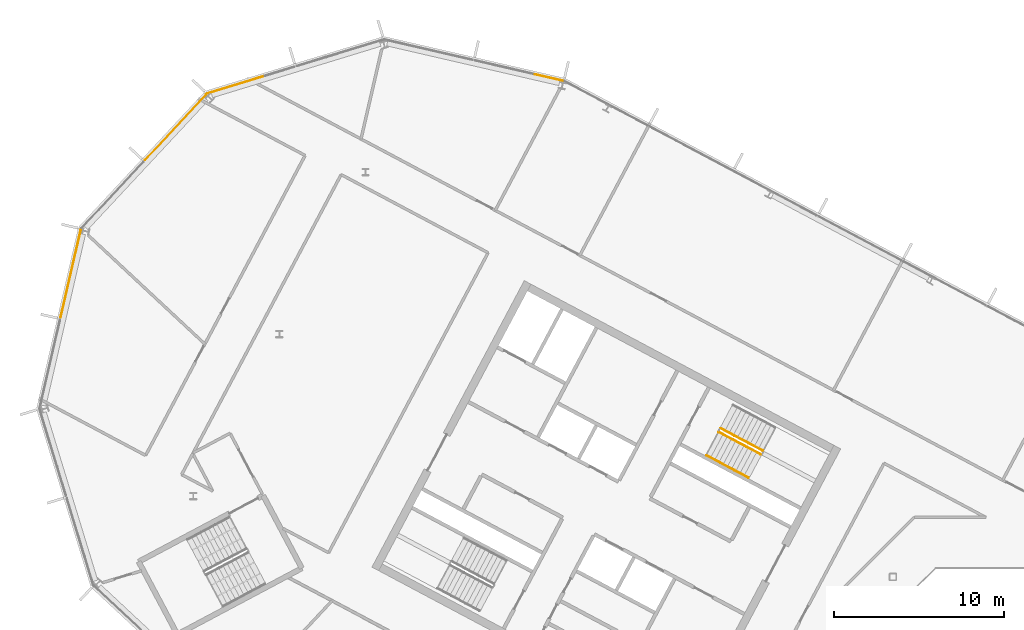
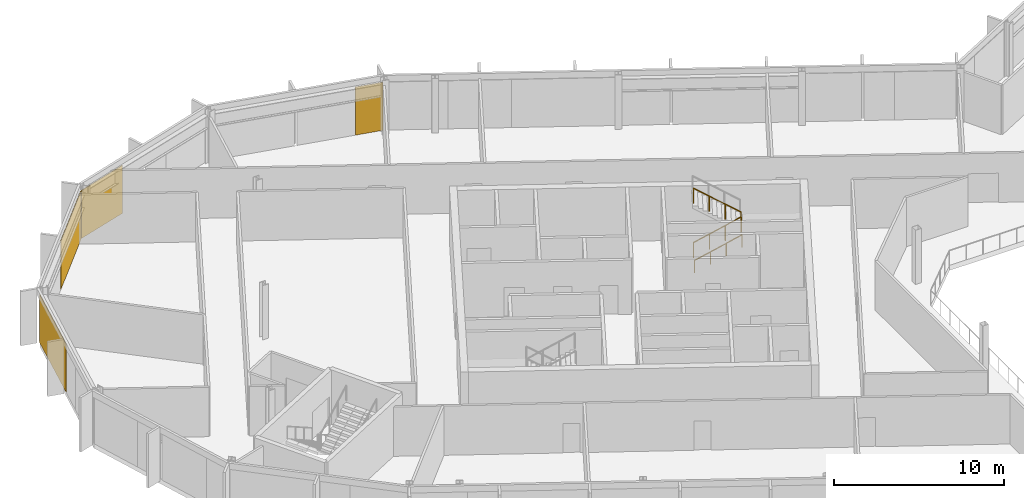
# One storey, part 21 of 25: 4 coverings, 3 railings, 4 elements without a shape of their own.
"""IFC4 building model written with IfcOpenShell, lengths in metres."""

from ifc_helpers import new_model, si_unit, direction, frame, origin, origin_2d, place, context, subcontext, project, spatial, polyline, rectangle, outline, extrude, material, layer, layer_set, type_object, element, aggregate, save


model = new_model("IFC4")

# Units and contexts
model_context = context("Model", 3, precision=1e-05, world=origin(), true_north=direction((0.0, 1.0)))
body_context = subcontext(model_context, "Body", "Model", "MODEL_VIEW")
ifc_project = project(units=[si_unit("LENGTHUNIT", "METRE"), si_unit("AREAUNIT", "SQUARE_METRE"), si_unit("VOLUMEUNIT", "CUBIC_METRE"), si_unit("PLANEANGLEUNIT", "RADIAN"), si_unit("MASSUNIT", "GRAM", prefix="KILO")], contexts=[model_context])

# Site, building, storey
site_placement = place(None, origin())
site = spatial("IfcSite", under=ifc_project, at=site_placement, CompositionType="ELEMENT")
building_placement = place(site_placement, origin())
building = spatial("IfcBuilding", under=site, at=building_placement, Name="Cormorant Relay Tower", CompositionType="ELEMENT")
storey_placement = place(building_placement, frame((0.0, 0.0, 265.800048828125)))
storey = spatial("IfcBuildingStorey", under=building, at=storey_placement, Name="L59", CompositionType="ELEMENT", Elevation=265.800048828125)

# Curtain wall, covering
ifc_material_1 = material(Name="Aluminium 6063-T6 anodised bronze", Category="aluminium")
ifc_layer_1 = layer(ifc_material_1, 0.199951171875)
ifc_layer_set_1 = layer_set([ifc_layer_1], Name="CW1 unitised bronze curtain wall with vertical fins")
curtain_wall_type = type_object("IfcCurtainWallType", Name="CW1 unitised bronze curtain wall with vertical fins", PredefinedType="NOTDEFINED", material=ifc_layer_set_1)
curtain_wall_1_placement = place(storey_placement, origin())
curtain_wall_1 = element("IfcCurtainWall", 1, at=curtain_wall_1_placement, inside=storey, type_object=curtain_wall_type, Name="CW1 curtain wall 10", PredefinedType="NOTDEFINED")
ifc_material_2 = material(Name="Pale bronze anodised aluminium insulated panel", Category="aluminium")
ifc_layer_2 = layer(ifc_material_2, 0.0400390625)
ifc_layer_set_2 = layer_set([ifc_layer_2], Name="CW1 pale bronze insulated panel 40")
covering_type = type_object("IfcCoveringType", Name="CW1 pale bronze insulated panel 40", PredefinedType="CLADDING", material=ifc_layer_set_2)
covering_1_placement = place(storey_placement, frame((-30.76318359375, 39.89404296875, 0.0), z_axis=(0.0, 0.0, 1.0), x_axis=(-0.974370064785, 0.224951054344, 0.0)))
covering_1 = element("IfcCovering", 2, at=covering_1_placement, type_object=covering_type, Name="CW1 panel S00", PredefinedType="CLADDING", context=body_context, shape_type="SweptSolid", body=[
    extrude(rectangle(XDim=1.685302734375, YDim=0.0400390625, at=origin_2d()), origin(), (0.0, 0.0, 1.0), 3.449951171875),
])
aggregate(curtain_wall_1, [covering_1])

curtain_wall_2_placement = place(storey_placement, origin())
curtain_wall_2 = element("IfcCurtainWall", 3, at=curtain_wall_2_placement, inside=storey, type_object=curtain_wall_type, Name="CW1 curtain wall 11", PredefinedType="NOTDEFINED")
covering_2_placement = place(storey_placement, frame((-49.16455078125, 39.474853515625, 0.0), z_axis=(0.0, 0.0, 1.0), x_axis=(-0.956304755963, -0.292371704723, 0.0)))
covering_2 = element("IfcCovering", 4, at=covering_2_placement, type_object=covering_type, Name="CW1 panel S03", PredefinedType="CLADDING", context=body_context, shape_type="SweptSolid", body=[
    extrude(rectangle(XDim=3.560302734375, YDim=0.0400390625, at=origin_2d()), origin(), (0.0, 0.0, 1.0), 3.449951171875),
])
aggregate(curtain_wall_2, [covering_2])

curtain_wall_3_placement = place(storey_placement, origin())
curtain_wall_3 = element("IfcCurtainWall", 5, at=curtain_wall_3_placement, inside=storey, type_object=curtain_wall_type, Name="CW1 curtain wall 12", PredefinedType="NOTDEFINED")
covering_3_placement = place(storey_placement, frame((-52.72900390625, 36.961181640625, 0.0), z_axis=(0.0, 0.0, 1.0), x_axis=(-0.681998360062, -0.731353701619, 0.0)))
covering_3 = element("IfcCovering", 6, at=covering_3_placement, type_object=covering_type, Name="CW1 panel S00", PredefinedType="CLADDING", context=body_context, shape_type="SweptSolid", body=[
    extrude(rectangle(XDim=5.28515625, YDim=0.0400390625, at=origin_2d()), origin(), (0.0, 0.0, 1.0), 3.449951171875),
])
aggregate(curtain_wall_3, [covering_3])

curtain_wall_4_placement = place(storey_placement, origin())
curtain_wall_4 = element("IfcCurtainWall", 7, at=curtain_wall_4_placement, inside=storey, type_object=curtain_wall_type, Name="CW1 curtain wall 13", PredefinedType="NOTDEFINED")
covering_4_placement = place(storey_placement, frame((-58.905517578125, 28.341796875, 0.0), z_axis=(0.0, 0.0, 1.0), x_axis=(-0.224951054344, -0.974370064785, 0.0)))
covering_4 = element("IfcCovering", 8, at=covering_4_placement, type_object=covering_type, Name="CW1 panel S00", PredefinedType="CLADDING", context=body_context, shape_type="SweptSolid", body=[
    extrude(rectangle(XDim=5.28515625, YDim=0.0400390625, at=origin_2d()), origin(), (0.0, 0.0, 1.0), 3.449951171875),
])
aggregate(curtain_wall_4, [covering_4])

# Railings
ifc_material_3 = material(Name="Steel ASTM A572 Grade 50 (Fy 345 MPa)", Category="steel")
railing_type_1 = type_object("IfcRailingType", Name="Stair guard 1100", PredefinedType="GUARDRAIL", material=ifc_material_3)
railing_1_placement = place(storey_placement, frame((-20.75048828125, 19.017822265625, 0.17724609375)))
element("IfcRailing", 9, at=railing_1_placement, inside=storey, type_object=railing_type_1, Name="L59 A1 stair guard 1", PredefinedType="GUARDRAIL", context=body_context, shape_type="SweptSolid", body=[
    extrude(outline(polyline([(0.022216796875, 0.00927734375), (0.00927734375, 0.022216796875), (-0.00927734375, 0.022216796875), (-0.022216796875, 0.00927734375), (-0.022216796875, -0.00927734375), (-0.00927734375, -0.022216796875), (0.00927734375, -0.022216796875), (0.022216796875, -0.00927734375), (0.022216796875, 0.00927734375)])), frame((0.0, 0.0, 1.076171875), z_axis=(0.746001213114, -0.396649272309, 0.534931345884), x_axis=(0.469465464807, 0.882950835185, 0.0)), (0.0, 0.0, 1.0), 3.31396484375),
    extrude(outline(polyline([(0.019287109375, 0.008056640625), (0.008056640625, 0.019287109375), (-0.008056640625, 0.019287109375), (-0.019287109375, 0.008056640625), (-0.019287109375, -0.008056640625), (-0.008056640625, -0.019287109375), (0.008056640625, -0.019287109375), (0.019287109375, -0.008056640625), (0.019287109375, 0.008056640625)])), origin(), (0.0, 0.0, 1.0), 1.052001953125),
    extrude(outline(polyline([(0.019287109375, 0.008056640625), (0.008056640625, 0.019287109375), (-0.008056640625, 0.019287109375), (-0.019287109375, 0.008056640625), (-0.019287109375, -0.008056640625), (-0.008056640625, -0.019287109375), (0.008056640625, -0.019287109375), (0.019287109375, -0.008056640625), (0.019287109375, 0.008056640625)])), frame((0.823974609375, -0.438232421875, 0.5908203125)), (0.0, 0.0, 1.0), 1.052001953125),
    extrude(outline(polyline([(0.019287109375, 0.008056640625), (0.008056640625, 0.019287109375), (-0.008056640625, 0.019287109375), (-0.019287109375, 0.008056640625), (-0.019287109375, -0.008056640625), (-0.008056640625, -0.019287109375), (0.008056640625, -0.019287109375), (0.019287109375, -0.008056640625), (0.019287109375, 0.008056640625)])), frame((1.648193359375, -0.876220703125, 1.181884765625)), (0.0, 0.0, 1.0), 1.052001953125),
    extrude(outline(polyline([(0.019287109375, 0.008056640625), (0.008056640625, 0.019287109375), (-0.008056640625, 0.019287109375), (-0.019287109375, 0.008056640625), (-0.019287109375, -0.008056640625), (-0.008056640625, -0.019287109375), (0.008056640625, -0.019287109375), (0.019287109375, -0.008056640625), (0.019287109375, 0.008056640625)])), frame((2.47216796875, -1.314453125, 1.772705078125)), (0.0, 0.0, 1.0), 1.052001953125),
])
railing_2_placement = place(storey_placement, frame((-18.160888671875, 17.924072265625, 2.127197265625)))
element("IfcRailing", 10, at=railing_2_placement, inside=storey, type_object=railing_type_1, Name="L59 A1 stair guard 3", PredefinedType="GUARDRAIL", context=body_context, shape_type="SweptSolid", body=[
    extrude(outline(polyline([(0.022216796875, 0.00927734375), (0.00927734375, 0.022216796875), (-0.00927734375, 0.022216796875), (-0.022216796875, 0.00927734375), (-0.022216796875, -0.00927734375), (-0.00927734375, -0.022216796875), (0.00927734375, -0.022216796875), (0.022216796875, -0.00927734375), (0.022216796875, 0.00927734375)])), frame((0.0, 0.0, 1.076171875), z_axis=(-0.746033882577, 0.396627473466, 0.534901947407), x_axis=(-0.469429322983, -0.882970050864, 0.0)), (0.0, 0.0, 1.0), 3.31396484375),
    extrude(outline(polyline([(0.019287109375, 0.008056640625), (0.008056640625, 0.019287109375), (-0.008056640625, 0.019287109375), (-0.019287109375, 0.008056640625), (-0.019287109375, -0.008056640625), (-0.008056640625, -0.019287109375), (0.008056640625, -0.019287109375), (0.019287109375, -0.008056640625), (0.019287109375, 0.008056640625)])), origin(), (0.0, 0.0, 1.0), 1.052001953125),
    extrude(outline(polyline([(0.019287109375, 0.008056640625), (0.008056640625, 0.019287109375), (-0.008056640625, 0.019287109375), (-0.019287109375, 0.008056640625), (-0.019287109375, -0.008056640625), (-0.008056640625, -0.019287109375), (0.008056640625, -0.019287109375), (0.019287109375, -0.008056640625), (0.019287109375, 0.008056640625)])), frame((-0.82421875, 0.438232421875, 0.5908203125)), (0.0, 0.0, 1.0), 1.052001953125),
    extrude(outline(polyline([(0.019287109375, 0.008056640625), (0.008056640625, 0.019287109375), (-0.008056640625, 0.019287109375), (-0.019287109375, 0.008056640625), (-0.019287109375, -0.008056640625), (-0.008056640625, -0.019287109375), (0.008056640625, -0.019287109375), (0.019287109375, -0.008056640625), (0.019287109375, 0.008056640625)])), frame((-1.648193359375, 0.876220703125, 1.181884765625)), (0.0, 0.0, 1.0), 1.052001953125),
    extrude(outline(polyline([(0.019287109375, 0.008056640625), (0.008056640625, 0.019287109375), (-0.008056640625, 0.019287109375), (-0.019287109375, 0.008056640625), (-0.019287109375, -0.008056640625), (-0.008056640625, -0.019287109375), (0.008056640625, -0.019287109375), (0.019287109375, -0.008056640625), (0.019287109375, 0.008056640625)])), frame((-2.472412109375, 1.314453125, 1.772705078125)), (0.0, 0.0, 1.0), 1.052001953125),
])
ifc_material_4 = material(Name="Steel ASTM A572 Grade 50 (Fy 345 MPa)", Category="steel")
railing_type_2 = type_object("IfcRailingType", Name="Stair handrail 900", PredefinedType="HANDRAIL", material=ifc_material_4)
railing_3_placement = place(storey_placement, frame((-21.478271484375, 17.6494140625, 0.17724609375)))
element("IfcRailing", 11, at=railing_3_placement, inside=storey, type_object=railing_type_2, Name="L59 A1 stair handrail 1", PredefinedType="HANDRAIL", context=body_context, shape_type="SweptSolid", body=[
    extrude(outline(polyline([(0.022216796875, 0.00927734375), (0.00927734375, 0.022216796875), (-0.00927734375, 0.022216796875), (-0.022216796875, 0.00927734375), (-0.022216796875, -0.00927734375), (-0.00927734375, -0.022216796875), (0.00927734375, -0.022216796875), (0.022216796875, -0.00927734375), (0.022216796875, 0.00927734375)])), frame((0.0, 0.0, 0.8759765625), z_axis=(0.746012083385, -0.396689549623, 0.534886317514), x_axis=(0.469497295046, 0.882933910293, 0.0)), (0.0, 0.0, 1.0), 3.314208984375),
    extrude(outline(polyline([(0.019287109375, 0.008056640625), (0.008056640625, 0.019287109375), (-0.008056640625, 0.019287109375), (-0.019287109375, 0.008056640625), (-0.019287109375, -0.008056640625), (-0.008056640625, -0.019287109375), (0.008056640625, -0.019287109375), (0.019287109375, -0.008056640625), (0.019287109375, 0.008056640625)])), origin(), (0.0, 0.0, 1.0), 0.851806640625),
    extrude(outline(polyline([(0.019287109375, 0.008056640625), (0.008056640625, 0.019287109375), (-0.008056640625, 0.019287109375), (-0.019287109375, 0.008056640625), (-0.019287109375, -0.008056640625), (-0.008056640625, -0.019287109375), (0.008056640625, -0.019287109375), (0.019287109375, -0.008056640625), (0.019287109375, 0.008056640625)])), frame((0.82421875, -0.438232421875, 0.5908203125)), (0.0, 0.0, 1.0), 0.851806640625),
    extrude(outline(polyline([(0.019287109375, 0.008056640625), (0.008056640625, 0.019287109375), (-0.008056640625, 0.019287109375), (-0.019287109375, 0.008056640625), (-0.019287109375, -0.008056640625), (-0.008056640625, -0.019287109375), (0.008056640625, -0.019287109375), (0.019287109375, -0.008056640625), (0.019287109375, 0.008056640625)])), frame((1.648193359375, -0.87646484375, 1.181884765625)), (0.0, 0.0, 1.0), 0.851806640625),
    extrude(outline(polyline([(0.019287109375, 0.008056640625), (0.008056640625, 0.019287109375), (-0.008056640625, 0.019287109375), (-0.019287109375, 0.008056640625), (-0.019287109375, -0.008056640625), (-0.008056640625, -0.019287109375), (0.008056640625, -0.019287109375), (0.019287109375, -0.008056640625), (0.019287109375, 0.008056640625)])), frame((2.472412109375, -1.314697265625, 1.772705078125)), (0.0, 0.0, 1.0), 0.851806640625),
])

save(model, "model.ifc")
